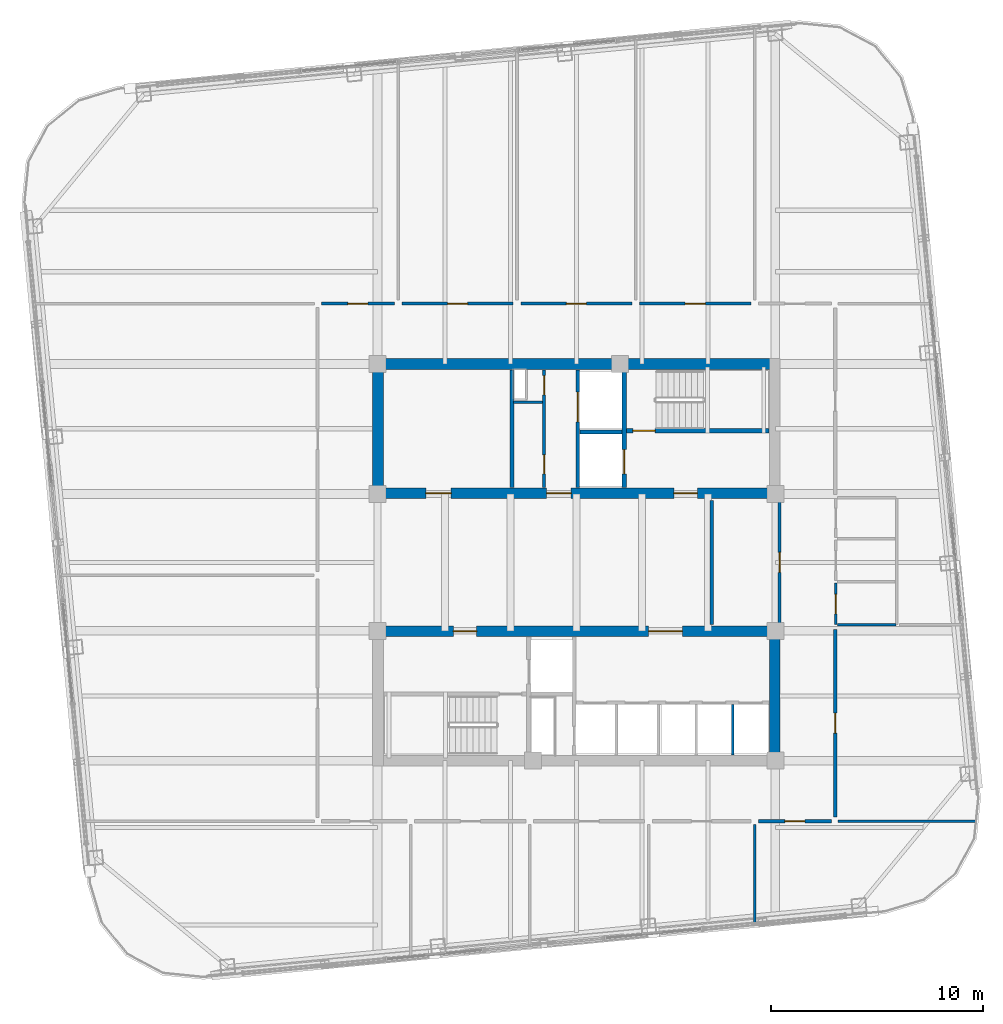
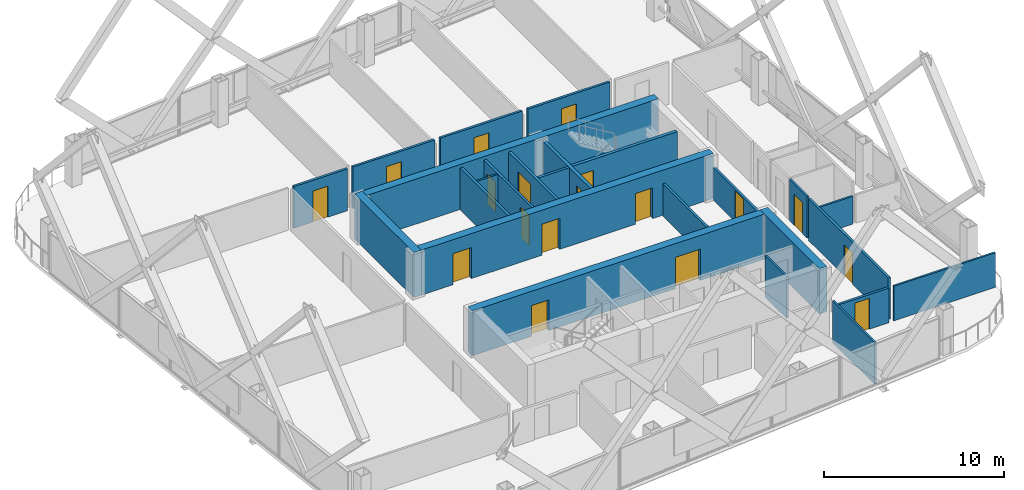
# One storey, part 30 of 34: 25 walls, 18 doors, 18 openings.
"""IFC4 building model written with IfcOpenShell, lengths in metres."""

from ifc_helpers import new_model, si_unit, direction, frame, frame_2d, origin, place, context, subcontext, project, spatial, rectangle, extrude, material, layer, layer_set, type_object, element, fill, save


model = new_model("IFC4")

# Units and contexts
model_context = context("Model", 3, precision=1e-05, world=origin(), true_north=direction((0.0, 1.0)))
body_context = subcontext(model_context, "Body", "Model", "MODEL_VIEW")
ifc_project = project(units=[si_unit("LENGTHUNIT", "METRE"), si_unit("AREAUNIT", "SQUARE_METRE"), si_unit("VOLUMEUNIT", "CUBIC_METRE"), si_unit("PLANEANGLEUNIT", "RADIAN"), si_unit("MASSUNIT", "GRAM", prefix="KILO")], contexts=[model_context])

# Site, building, storey
site_placement = place(None, origin())
site = spatial("IfcSite", under=ifc_project, at=site_placement, CompositionType="ELEMENT")
building_placement = place(site_placement, origin())
building = spatial("IfcBuilding", under=site, at=building_placement, Name="Qhalaya Broadcast Tower", CompositionType="ELEMENT")
storey_placement = place(building_placement, frame((0.0, 0.0, 168.35009765625)))
storey = spatial("IfcBuildingStorey", under=building, at=storey_placement, Name="L49", CompositionType="ELEMENT", Elevation=168.35009765625)

# Wall, openings, doors
ifc_material_1 = material(Name="Gypsum Acoustic Partition")
ifc_layer_1 = layer(ifc_material_1, 0.14990234375, Name="Gypsum Acoustic Partition")
ifc_layer_set_1 = layer_set([ifc_layer_1], Name="Gypsum Acoustic Partition")
wall_type_1 = type_object("IfcWallType", Name="Corridor & Tenancy Acoustic Partition 150", PredefinedType="PARTITIONING", material=ifc_layer_set_1)
wall_1_placement = place(storey_placement, frame((-1.52001953125, 4.1201171875, 0.0), z_axis=(0.0, 0.0, 1.0), x_axis=(0.0, 1.0, 0.0)))
wall_1 = element("IfcWall", 1, at=wall_1_placement, inside=storey, type_object=wall_type_1, Name="L49 Partition Wall NCW-SVL", PredefinedType="PARTITIONING", context=body_context, shape_type="SweptSolid", body=[
    extrude(rectangle(XDim=5.559814453125, YDim=0.14990234375, at=frame_2d((2.77978515625, 0.0))), origin(), (0.0, 0.0, 1.0), 2.829833984375),
])
opening_1_placement = place(wall_1_placement, frame((4.3798828125, 0.0, 0.0)))
opening_1 = element("IfcOpeningElement", 2, at=opening_1_placement, cuts=wall_1, Name="Opening D06", PredefinedType="OPENING", context=body_context, shape_type="SweptSolid", body=[
    extrude(rectangle(XDim=0.89990234375, YDim=2.050048828125, at=frame_2d((0.449951171875, 1.02490234375))), frame((0.0, 0.0869140625, 0.0), z_axis=(0.0, -1.0, 0.0), x_axis=(1.0, 0.0, 0.0)), (0.0, 0.0, 1.0), 0.173828125),
])
opening_2_placement = place(wall_1_placement, frame((0.64990234375, 0.0, 0.0)))
opening_2 = element("IfcOpeningElement", 3, at=opening_2_placement, cuts=wall_1, Name="Opening D06", PredefinedType="OPENING", context=body_context, shape_type="SweptSolid", body=[
    extrude(rectangle(XDim=0.89990234375, YDim=2.050048828125, at=frame_2d((0.449951171875, 1.02490234375))), frame((0.0, 0.0869140625, 0.0), z_axis=(0.0, -1.0, 0.0), x_axis=(1.0, 0.0, 0.0)), (0.0, 0.0, 1.0), 0.173828125),
])
ifc_material_2 = material(Name="Fire-Rated Steel Door", Category="steel")
door_type_1 = type_object("IfcDoorType", Name="Riser & Electrical Shaft Access Door D06", OperationType="NOTDEFINED", PredefinedType="DOOR", material=ifc_material_2)
door_1_placement = place(opening_1_placement, origin())
door_1 = element("IfcDoor", 4, at=door_1_placement, inside=storey, type_object=door_type_1, Name="L49 Riser Shaft Access Door D-NRSR", OperationType="SINGLE_SWING_RIGHT", OverallHeight=2.050048828125, OverallWidth=0.89990234375, PredefinedType="DOOR", context=body_context, shape_type="SweptSolid", body=[
    extrude(rectangle(XDim=0.89990234375, YDim=2.050048828125, at=frame_2d((0.449951171875, 1.02490234375))), frame((0.0, 0.02490234375, 0.0), z_axis=(0.0, -1.0, 0.0), x_axis=(1.0, 0.0, 0.0)), (0.0, 0.0, 1.0), 0.050048828125),
])
fill(opening_1, door_1)
door_2_placement = place(opening_2_placement, origin())
door_2 = element("IfcDoor", 5, at=door_2_placement, inside=storey, type_object=door_type_1, Name="L49 Door D-NCST", OperationType="SINGLE_SWING_LEFT", OverallHeight=2.050048828125, OverallWidth=0.89990234375, PredefinedType="DOOR", context=body_context, shape_type="SweptSolid", body=[
    extrude(rectangle(XDim=0.89990234375, YDim=2.050048828125, at=frame_2d((0.449951171875, 1.02490234375))), frame((0.0, 0.02490234375, 0.0), z_axis=(0.0, -1.0, 0.0), x_axis=(1.0, 0.0, 0.0)), (0.0, 0.0, 1.0), 0.050048828125),
])
fill(opening_2, door_2)

# Wall
wall_2_placement = place(storey_placement, frame((6.3798828125, -2.320068359375, 0.0), z_axis=(0.0, 0.0, 1.0), x_axis=(0.0, 1.0, 0.0)))
element("IfcWall", 6, at=wall_2_placement, inside=storey, type_object=wall_type_1, Name="L49 Partition Wall W-ICHW", PredefinedType="PARTITIONING", context=body_context, shape_type="SweptSolid", body=[
    extrude(rectangle(XDim=5.840087890625, YDim=0.14990234375, at=frame_2d((2.919921875, 0.0))), origin(), (0.0, 0.0, 1.0), 2.197998046875),
])

# Wall, opening, door
wall_3_placement = place(storey_placement, frame((9.580078125, -2.320068359375, 0.0), z_axis=(0.0, 0.0, 1.0), x_axis=(0.0, 1.0, 0.0)))
wall_3 = element("IfcWall", 7, at=wall_3_placement, inside=storey, type_object=wall_type_1, Name="L49 Partition Wall W-ICHE", PredefinedType="PARTITIONING", context=body_context, shape_type="SweptSolid", body=[
    extrude(rectangle(XDim=5.840087890625, YDim=0.14990234375, at=frame_2d((2.919921875, 0.0))), origin(), (0.0, 0.0, 1.0), 2.197998046875),
])
opening_3_placement = place(wall_3_placement, frame((2.445068359375, 0.0, 0.0)))
opening_3 = element("IfcOpeningElement", 8, at=opening_3_placement, cuts=wall_3, Name="Opening D10", PredefinedType="OPENING", context=body_context, shape_type="SweptSolid", body=[
    extrude(rectangle(XDim=0.949951171875, YDim=2.10009765625, at=frame_2d((0.47509765625, 1.050048828125))), frame((0.0, 0.0869140625, 0.0), z_axis=(0.0, -1.0, 0.0), x_axis=(1.0, 0.0, 0.0)), (0.0, 0.0, 1.0), 0.173828125),
])
ifc_material_3 = material(Name="Timber Veneer Acoustic Door", Category="wood")
door_type_2 = type_object("IfcDoorType", Name="Cellular Office & Edit Booth Door D10", OperationType="NOTDEFINED", PredefinedType="DOOR", material=ifc_material_3)
door_3_placement = place(opening_3_placement, origin())
door_3 = element("IfcDoor", 9, at=door_3_placement, inside=storey, type_object=door_type_2, Name="L49 Door D-ICHE", OperationType="SINGLE_SWING_RIGHT", OverallHeight=2.10009765625, OverallWidth=0.949951171875, PredefinedType="DOOR", context=body_context, shape_type="SweptSolid", body=[
    extrude(rectangle(XDim=0.949951171875, YDim=2.10009765625, at=frame_2d((0.47509765625, 1.050048828125))), frame((0.0, 0.02490234375, 0.0), z_axis=(0.0, -1.0, 0.0), x_axis=(1.0, 0.0, 0.0)), (0.0, 0.0, 1.0), 0.050048828125),
])
fill(opening_3, door_3)

wall_4_placement = place(storey_placement, frame((-12.02001953125, 12.800048828125, 0.0), z_axis=(0.0, 0.0, 1.0), x_axis=(1.0, 0.0, 0.0)))
wall_4 = element("IfcWall", 10, at=wall_4_placement, inside=storey, type_object=wall_type_1, Name="L49 Partition Wall W-COR-01", PredefinedType="PARTITIONING", context=body_context, shape_type="SweptSolid", body=[
    extrude(rectangle(XDim=3.43994140625, YDim=0.14990234375, at=frame_2d((1.719970703125, 0.0))), origin(), (0.0, 0.0, 1.0), 2.829833984375),
])
opening_4_placement = place(wall_4_placement, frame((1.2451171875, 0.0, 0.0)))
opening_4 = element("IfcOpeningElement", 11, at=opening_4_placement, cuts=wall_4, Name="Opening D10", PredefinedType="OPENING", context=body_context, shape_type="SweptSolid", body=[
    extrude(rectangle(XDim=0.949951171875, YDim=2.10009765625, at=frame_2d((0.47509765625, 1.050048828125))), frame((0.0, 0.0869140625, 0.0), z_axis=(0.0, -1.0, 0.0), x_axis=(1.0, 0.0, 0.0)), (0.0, 0.0, 1.0), 0.173828125),
])
door_4_placement = place(opening_4_placement, origin())
door_4 = element("IfcDoor", 12, at=door_4_placement, inside=storey, type_object=door_type_2, Name="L49 Door D-RM01", OperationType="SINGLE_SWING_LEFT", OverallHeight=2.10009765625, OverallWidth=0.949951171875, PredefinedType="DOOR", context=body_context, shape_type="SweptSolid", body=[
    extrude(rectangle(XDim=0.949951171875, YDim=2.10009765625, at=frame_2d((0.47509765625, 1.050048828125))), frame((0.0, 0.02490234375, 0.0), z_axis=(0.0, -1.0, 0.0), x_axis=(1.0, 0.0, 0.0)), (0.0, 0.0, 1.0), 0.050048828125),
])
fill(opening_4, door_4)

wall_5_placement = place(storey_placement, frame((-8.219970703125, 12.800048828125, 0.0), z_axis=(0.0, 0.0, 1.0), x_axis=(1.0, 0.0, 0.0)))
wall_5 = element("IfcWall", 13, at=wall_5_placement, inside=storey, type_object=wall_type_1, Name="L49 Partition Wall W-COR-02", PredefinedType="PARTITIONING", context=body_context, shape_type="SweptSolid", body=[
    extrude(rectangle(XDim=5.239990234375, YDim=0.14990234375, at=frame_2d((2.6201171875, 0.0))), origin(), (0.0, 0.0, 1.0), 2.829833984375),
])
opening_5_placement = place(wall_5_placement, frame((2.14501953125, 0.0, 0.0)))
opening_5 = element("IfcOpeningElement", 14, at=opening_5_placement, cuts=wall_5, Name="Opening D10", PredefinedType="OPENING", context=body_context, shape_type="SweptSolid", body=[
    extrude(rectangle(XDim=0.949951171875, YDim=2.10009765625, at=frame_2d((0.47509765625, 1.050048828125))), frame((0.0, 0.0869140625, 0.0), z_axis=(0.0, -1.0, 0.0), x_axis=(1.0, 0.0, 0.0)), (0.0, 0.0, 1.0), 0.173828125),
])
door_5_placement = place(opening_5_placement, origin())
door_5 = element("IfcDoor", 15, at=door_5_placement, inside=storey, type_object=door_type_2, Name="L49 Door D-RM02", OperationType="SINGLE_SWING_RIGHT", OverallHeight=2.10009765625, OverallWidth=0.949951171875, PredefinedType="DOOR", context=body_context, shape_type="SweptSolid", body=[
    extrude(rectangle(XDim=0.949951171875, YDim=2.10009765625, at=frame_2d((0.47509765625, 1.050048828125))), frame((0.0, 0.02490234375, 0.0), z_axis=(0.0, -1.0, 0.0), x_axis=(1.0, 0.0, 0.0)), (0.0, 0.0, 1.0), 0.050048828125),
])
fill(opening_5, door_5)

wall_6_placement = place(storey_placement, frame((-2.6201171875, 12.800048828125, 0.0), z_axis=(0.0, 0.0, 1.0), x_axis=(1.0, 0.0, 0.0)))
wall_6 = element("IfcWall", 16, at=wall_6_placement, inside=storey, type_object=wall_type_1, Name="L49 Partition Wall W-COR-03", PredefinedType="PARTITIONING", context=body_context, shape_type="SweptSolid", body=[
    extrude(rectangle(XDim=5.240234375, YDim=0.14990234375, at=frame_2d((2.6201171875, 0.0))), origin(), (0.0, 0.0, 1.0), 2.829833984375),
])
opening_6_placement = place(wall_6_placement, frame((2.14501953125, 0.0, 0.0)))
opening_6 = element("IfcOpeningElement", 17, at=opening_6_placement, cuts=wall_6, Name="Opening D10", PredefinedType="OPENING", context=body_context, shape_type="SweptSolid", body=[
    extrude(rectangle(XDim=0.949951171875, YDim=2.10009765625, at=frame_2d((0.47509765625, 1.050048828125))), frame((0.0, 0.0869140625, 0.0), z_axis=(0.0, -1.0, 0.0), x_axis=(1.0, 0.0, 0.0)), (0.0, 0.0, 1.0), 0.173828125),
])
door_6_placement = place(opening_6_placement, origin())
door_6 = element("IfcDoor", 18, at=door_6_placement, inside=storey, type_object=door_type_2, Name="L49 Door D-RM03", OperationType="SINGLE_SWING_LEFT", OverallHeight=2.10009765625, OverallWidth=0.949951171875, PredefinedType="DOOR", context=body_context, shape_type="SweptSolid", body=[
    extrude(rectangle(XDim=0.949951171875, YDim=2.10009765625, at=frame_2d((0.47509765625, 1.050048828125))), frame((0.0, 0.02490234375, 0.0), z_axis=(0.0, -1.0, 0.0), x_axis=(1.0, 0.0, 0.0)), (0.0, 0.0, 1.0), 0.050048828125),
])
fill(opening_6, door_6)

wall_7_placement = place(storey_placement, frame((2.97998046875, 12.800048828125, 0.0), z_axis=(0.0, 0.0, 1.0), x_axis=(1.0, 0.0, 0.0)))
wall_7 = element("IfcWall", 19, at=wall_7_placement, inside=storey, type_object=wall_type_1, Name="L49 Partition Wall W-COR-04", PredefinedType="PARTITIONING", context=body_context, shape_type="SweptSolid", body=[
    extrude(rectangle(XDim=5.239990234375, YDim=0.14990234375, at=frame_2d((2.6201171875, 0.0))), origin(), (0.0, 0.0, 1.0), 2.829833984375),
])
opening_7_placement = place(wall_7_placement, frame((2.14501953125, 0.0, 0.0)))
opening_7 = element("IfcOpeningElement", 20, at=opening_7_placement, cuts=wall_7, Name="Opening D10", PredefinedType="OPENING", context=body_context, shape_type="SweptSolid", body=[
    extrude(rectangle(XDim=0.949951171875, YDim=2.10009765625, at=frame_2d((0.47509765625, 1.050048828125))), frame((0.0, 0.0869140625, 0.0), z_axis=(0.0, -1.0, 0.0), x_axis=(1.0, 0.0, 0.0)), (0.0, 0.0, 1.0), 0.173828125),
])
door_7_placement = place(opening_7_placement, origin())
door_7 = element("IfcDoor", 21, at=door_7_placement, inside=storey, type_object=door_type_2, Name="L49 Door D-RM04", OperationType="SINGLE_SWING_RIGHT", OverallHeight=2.10009765625, OverallWidth=0.949951171875, PredefinedType="DOOR", context=body_context, shape_type="SweptSolid", body=[
    extrude(rectangle(XDim=0.949951171875, YDim=2.10009765625, at=frame_2d((0.47509765625, 1.050048828125))), frame((0.0, 0.02490234375, 0.0), z_axis=(0.0, -1.0, 0.0), x_axis=(1.0, 0.0, 0.0)), (0.0, 0.0, 1.0), 0.050048828125),
])
fill(opening_7, door_7)

wall_8_placement = place(storey_placement, frame((8.580078125, -11.60009765625, 0.0), z_axis=(0.0, 0.0, 1.0), x_axis=(1.0, 0.0, 0.0)))
wall_8 = element("IfcWall", 22, at=wall_8_placement, inside=storey, type_object=wall_type_1, Name="L49 Partition Wall W-COR-10", PredefinedType="PARTITIONING", context=body_context, shape_type="SweptSolid", body=[
    extrude(rectangle(XDim=3.43994140625, YDim=0.14990234375, at=frame_2d((1.719970703125, 0.0))), origin(), (0.0, 0.0, 1.0), 2.346923828125),
])
opening_8_placement = place(wall_8_placement, frame((1.2451171875, 0.0, 0.0)))
opening_8 = element("IfcOpeningElement", 23, at=opening_8_placement, cuts=wall_8, Name="Opening D10", PredefinedType="OPENING", context=body_context, shape_type="SweptSolid", body=[
    extrude(rectangle(XDim=0.949951171875, YDim=2.10009765625, at=frame_2d((0.47509765625, 1.050048828125))), frame((0.0, 0.0869140625, 0.0), z_axis=(0.0, -1.0, 0.0), x_axis=(1.0, 0.0, 0.0)), (0.0, 0.0, 1.0), 0.173828125),
])
door_8_placement = place(opening_8_placement, origin())
door_8 = element("IfcDoor", 24, at=door_8_placement, inside=storey, type_object=door_type_2, Name="L49 Door D-RM10", OperationType="SINGLE_SWING_RIGHT", OverallHeight=2.10009765625, OverallWidth=0.949951171875, PredefinedType="DOOR", context=body_context, shape_type="SweptSolid", body=[
    extrude(rectangle(XDim=0.949951171875, YDim=2.10009765625, at=frame_2d((0.47509765625, 1.050048828125))), frame((0.0, 0.02490234375, 0.0), z_axis=(0.0, -1.0, 0.0), x_axis=(1.0, 0.0, 0.0)), (0.0, 0.0, 1.0), 0.050048828125),
])
fill(opening_8, door_8)

wall_9_placement = place(storey_placement, frame((12.199951171875, -11.39990234375, 0.0), z_axis=(0.0, 0.0, 1.0), x_axis=(0.0, 1.0, 0.0)))
wall_9 = element("IfcWall", 25, at=wall_9_placement, inside=storey, type_object=wall_type_1, Name="L49 Partition Wall W-COR-13", PredefinedType="PARTITIONING", context=body_context, shape_type="SweptSolid", body=[
    extrude(rectangle(XDim=8.83984375, YDim=0.14990234375, at=frame_2d((4.419921875, 0.0))), origin(), (0.0, 0.0, 1.0), 2.829833984375),
])
opening_9_placement = place(wall_9_placement, frame((3.945068359375, 0.0, 0.0)))
opening_9 = element("IfcOpeningElement", 26, at=opening_9_placement, cuts=wall_9, Name="Opening D10", PredefinedType="OPENING", context=body_context, shape_type="SweptSolid", body=[
    extrude(rectangle(XDim=0.949951171875, YDim=2.10009765625, at=frame_2d((0.47509765625, 1.050048828125))), frame((0.0, 0.0869140625, 0.0), z_axis=(0.0, -1.0, 0.0), x_axis=(1.0, 0.0, 0.0)), (0.0, 0.0, 1.0), 0.173828125),
])
door_9_placement = place(opening_9_placement, origin())
door_9 = element("IfcDoor", 27, at=door_9_placement, inside=storey, type_object=door_type_2, Name="L49 Door D-RM13", OperationType="SINGLE_SWING_LEFT", OverallHeight=2.10009765625, OverallWidth=0.949951171875, PredefinedType="DOOR", context=body_context, shape_type="SweptSolid", body=[
    extrude(rectangle(XDim=0.949951171875, YDim=2.10009765625, at=frame_2d((0.47509765625, 1.050048828125))), frame((0.0, 0.02490234375, 0.0), z_axis=(0.0, -1.0, 0.0), x_axis=(1.0, 0.0, 0.0)), (0.0, 0.0, 1.0), 0.050048828125),
])
fill(opening_9, door_9)

ifc_material_4 = material(Name="Concrete C50/60", Category="concrete")
ifc_layer_2 = layer(ifc_material_4, 0.199951171875, Name="Concrete C50/60")
ifc_layer_set_2 = layer_set([ifc_layer_2], Name="Concrete C50/60")
wall_type_2 = type_object("IfcWallType", Name="Load-Bearing Stair Shaft Wall 200", PredefinedType="SHEAR", material=ifc_layer_set_2)
wall_10_placement = place(storey_placement, frame((2.360107421875, 6.804931640625, 0.0), z_axis=(0.0, 0.0, 1.0), x_axis=(1.0, 0.0, 0.0)))
wall_10 = element("IfcWall", 28, at=wall_10_placement, inside=storey, type_object=wall_type_2, Name="L49 Stair Core Shear Wall NCW-ST1", PredefinedType="SHEAR", context=body_context, shape_type="SweptSolid", body=[
    extrude(rectangle(XDim=6.719970703125, YDim=0.199951171875, at=frame_2d((3.35986328125, 0.0))), origin(), (0.0, 0.0, 1.0), 2.829833984375),
])
opening_10_placement = place(wall_10_placement, frame((0.300048828125, 0.0, 0.0)))
opening_10 = element("IfcOpeningElement", 29, at=opening_10_placement, cuts=wall_10, Name="Opening D03", PredefinedType="OPENING", context=body_context, shape_type="SweptSolid", body=[
    extrude(rectangle(XDim=1.050048828125, YDim=2.080078125, at=frame_2d((0.52490234375, 1.0400390625))), frame((0.0, 0.112060546875, 0.0), z_axis=(0.0, -1.0, 0.0), x_axis=(1.0, 0.0, 0.0)), (0.0, 0.0, 1.0), 0.223876953125),
])
door_type_3 = type_object("IfcDoorType", Name="Core Stair Protected Fire Door D03", OperationType="NOTDEFINED", PredefinedType="DOOR", material=ifc_material_2)
door_10_placement = place(opening_10_placement, origin())
door_10 = element("IfcDoor", 30, at=door_10_placement, inside=storey, type_object=door_type_3, Name="L49 Door D-NST1", OperationType="SINGLE_SWING_LEFT", OverallHeight=2.080078125, OverallWidth=1.050048828125, PredefinedType="DOOR", context=body_context, shape_type="SweptSolid", body=[
    extrude(rectangle(XDim=1.050048828125, YDim=2.080078125, at=frame_2d((0.52490234375, 1.0400390625))), frame((0.0, 0.02490234375, 0.0), z_axis=(0.0, -1.0, 0.0), x_axis=(1.0, 0.0, 0.0)), (0.0, 0.0, 1.0), 0.050048828125),
])
fill(opening_10, door_10)

wall_11_placement = place(storey_placement, frame((2.25, 4.1201171875, 0.0), z_axis=(0.0, 0.0, 1.0), x_axis=(0.0, 1.0, 0.0)))
wall_11 = element("IfcWall", 31, at=wall_11_placement, inside=storey, type_object=wall_type_2, Name="L49 Stair Core Shear Wall NCW-FF", PredefinedType="SHEAR", context=body_context, shape_type="SweptSolid", body=[
    extrude(rectangle(XDim=5.559814453125, YDim=0.199951171875, at=frame_2d((2.77978515625, 0.0))), origin(), (0.0, 0.0, 1.0), 2.829833984375),
])
opening_11_placement = place(wall_11_placement, frame((0.64990234375, 0.0, 0.0)))
opening_11 = element("IfcOpeningElement", 32, at=opening_11_placement, cuts=wall_11, Name="Opening LD2", PredefinedType="OPENING", context=body_context, shape_type="SweptSolid", body=[
    extrude(rectangle(XDim=1.14990234375, YDim=2.080078125, at=frame_2d((0.574951171875, 1.0400390625))), frame((0.0, 0.112060546875, 0.0), z_axis=(0.0, -1.0, 0.0), x_axis=(1.0, 0.0, 0.0)), (0.0, 0.0, 1.0), 0.223876953125),
])
ifc_material_5 = material(Name="Brushed Stainless Steel Lift Door", Category="steel")
door_type_4 = type_object("IfcDoorType", Name="Firefighting Lift Sliding Landing Door LD2", OperationType="DOUBLE_DOOR_SLIDING", PredefinedType="DOOR", material=ifc_material_5)
door_11_placement = place(opening_11_placement, origin())
door_11 = element("IfcDoor", 33, at=door_11_placement, inside=storey, type_object=door_type_4, Name="L49 Door LD-FF1", OperationType="DOUBLE_DOOR_SLIDING", OverallHeight=2.080078125, OverallWidth=1.14990234375, PredefinedType="DOOR", context=body_context, shape_type="SweptSolid", body=[
    extrude(rectangle(XDim=1.14990234375, YDim=2.080078125, at=frame_2d((0.574951171875, 1.0400390625))), frame((0.0, 0.02490234375, 0.0), z_axis=(0.0, -1.0, 0.0), x_axis=(1.0, 0.0, 0.0)), (0.0, 0.0, 1.0), 0.050048828125),
])
fill(opening_11, door_11)

# Wall
ifc_layer_3 = layer(ifc_material_4, 0.5, Name="Concrete C50/60")
ifc_layer_set_3 = layer_set([ifc_layer_3], Name="Concrete C50/60")
wall_type_3 = type_object("IfcWallType", Name="Mid Split-Core Shear Wall 500", PredefinedType="SHEAR", material=ifc_layer_set_3)
wall_12_placement = place(storey_placement, frame((-9.60009765625, 9.949951171875, 0.0), z_axis=(0.0, 0.0, 1.0), x_axis=(1.0, 0.0, 0.0)))
element("IfcWall", 34, at=wall_12_placement, inside=storey, type_object=wall_type_3, Name="L49 Split-Core Shear Wall CW-NN", PredefinedType="SHEAR", context=body_context, shape_type="SweptSolid", body=[
    extrude(rectangle(XDim=19.2001953125, YDim=0.5, at=frame_2d((9.60009765625, 0.0))), origin(), (0.0, 0.0, 1.0), 3.0498046875),
])

# Wall, openings, doors
wall_13_placement = place(storey_placement, frame((-9.60009765625, 3.85009765625, 0.0), z_axis=(0.0, 0.0, 1.0), x_axis=(1.0, 0.0, 0.0)))
wall_13 = element("IfcWall", 35, at=wall_13_placement, inside=storey, type_object=wall_type_3, Name="L49 Split-Core Shear Wall CW-NS", PredefinedType="SHEAR", context=body_context, shape_type="SweptSolid", body=[
    extrude(rectangle(XDim=19.2001953125, YDim=0.5, at=frame_2d((9.60009765625, 0.0))), origin(), (0.0, 0.0, 1.0), 3.0498046875),
])
opening_12_placement = place(wall_13_placement, frame((14.199951171875, 0.0, 0.0)))
opening_12 = element("IfcOpeningElement", 36, at=opening_12_placement, cuts=wall_13, Name="Opening D04", PredefinedType="OPENING", context=body_context, shape_type="SweptSolid", body=[
    extrude(rectangle(XDim=1.10009765625, YDim=2.080078125, at=frame_2d((0.550048828125, 1.0400390625))), frame((0.0, 0.261962890625, 0.0), z_axis=(0.0, -1.0, 0.0), x_axis=(1.0, 0.0, 0.0)), (0.0, 0.0, 1.0), 0.52392578125),
])
opening_13_placement = place(wall_13_placement, frame((8.199951171875, 0.0, 0.0)))
opening_13 = element("IfcOpeningElement", 37, at=opening_13_placement, cuts=wall_13, Name="Opening D05", PredefinedType="OPENING", context=body_context, shape_type="SweptSolid", body=[
    extrude(rectangle(XDim=1.14990234375, YDim=2.10009765625, at=frame_2d((0.574951171875, 1.050048828125))), frame((0.0, 0.261962890625, 0.0), z_axis=(0.0, -1.0, 0.0), x_axis=(1.0, 0.0, 0.0)), (0.0, 0.0, 1.0), 0.52392578125),
])
opening_14_placement = place(wall_13_placement, frame((2.5, 0.0, 0.0)))
opening_14 = element("IfcOpeningElement", 38, at=opening_14_placement, cuts=wall_13, Name="Opening D11", PredefinedType="OPENING", context=body_context, shape_type="SweptSolid", body=[
    extrude(rectangle(XDim=1.199951171875, YDim=2.10009765625, at=frame_2d((0.60009765625, 1.050048828125))), frame((0.0, 0.261962890625, 0.0), z_axis=(0.0, -1.0, 0.0), x_axis=(1.0, 0.0, 0.0)), (0.0, 0.0, 1.0), 0.52392578125),
])
ifc_material_6 = material(Name="Anodised Aluminium Glazed Door", Category="aluminium")
door_type_5 = type_object("IfcDoorType", Name="Conference, Boardroom & Studio Control Door D11", OperationType="NOTDEFINED", PredefinedType="DOOR", material=ifc_material_6)
door_12_placement = place(opening_14_placement, origin())
door_12 = element("IfcDoor", 39, at=door_12_placement, inside=storey, type_object=door_type_5, Name="L49 Door D-NREC1", OperationType="SINGLE_SWING_LEFT", OverallHeight=2.10009765625, OverallWidth=1.199951171875, PredefinedType="DOOR", context=body_context, shape_type="SweptSolid", body=[
    extrude(rectangle(XDim=1.199951171875, YDim=2.10009765625, at=frame_2d((0.60009765625, 1.050048828125))), frame((0.0, 0.02490234375, 0.0), z_axis=(0.0, -1.0, 0.0), x_axis=(1.0, 0.0, 0.0)), (0.0, 0.0, 1.0), 0.050048828125),
])
fill(opening_14, door_12)
door_type_6 = type_object("IfcDoorType", Name="Firefighting Lobby Rated Door D04", OperationType="NOTDEFINED", PredefinedType="DOOR", material=ifc_material_2)
door_13_placement = place(opening_12_placement, origin())
door_13 = element("IfcDoor", 40, at=door_13_placement, inside=storey, type_object=door_type_6, Name="L49 Door D-NFF", OperationType="SINGLE_SWING_RIGHT", OverallHeight=2.080078125, OverallWidth=1.10009765625, PredefinedType="DOOR", context=body_context, shape_type="SweptSolid", body=[
    extrude(rectangle(XDim=1.10009765625, YDim=2.080078125, at=frame_2d((0.550048828125, 1.0400390625))), frame((0.0, 0.02490234375, 0.0), z_axis=(0.0, -1.0, 0.0), x_axis=(1.0, 0.0, 0.0)), (0.0, 0.0, 1.0), 0.050048828125),
])
fill(opening_12, door_13)
door_type_7 = type_object("IfcDoorType", Name="Refuge & Plant Room Fire Door D05", OperationType="NOTDEFINED", PredefinedType="DOOR", material=ifc_material_2)
door_14_placement = place(opening_13_placement, origin())
door_14 = element("IfcDoor", 41, at=door_14_placement, inside=storey, type_object=door_type_7, Name="L49 Door D-NSVL", OperationType="SINGLE_SWING_LEFT", OverallHeight=2.10009765625, OverallWidth=1.14990234375, PredefinedType="DOOR", context=body_context, shape_type="SweptSolid", body=[
    extrude(rectangle(XDim=1.14990234375, YDim=2.10009765625, at=frame_2d((0.574951171875, 1.050048828125))), frame((0.0, 0.02490234375, 0.0), z_axis=(0.0, -1.0, 0.0), x_axis=(1.0, 0.0, 0.0)), (0.0, 0.0, 1.0), 0.050048828125),
])
fill(opening_13, door_14)

# Wall
wall_14_placement = place(storey_placement, frame((-9.35009765625, 3.60009765625, 0.0), z_axis=(0.0, 0.0, 1.0), x_axis=(0.0, 1.0, 0.0)))
element("IfcWall", 42, at=wall_14_placement, inside=storey, type_object=wall_type_3, Name="L49 Split-Core Shear Wall CW-NW", PredefinedType="SHEAR", context=body_context, shape_type="SweptSolid", body=[
    extrude(rectangle(XDim=6.599853515625, YDim=0.5, at=frame_2d((3.2998046875, 0.0))), origin(), (0.0, 0.0, 1.0), 3.0498046875),
])

# Wall, openings, doors
wall_15_placement = place(storey_placement, frame((-9.60009765625, -2.64990234375, 0.0), z_axis=(0.0, 0.0, 1.0), x_axis=(1.0, 0.0, 0.0)))
wall_15 = element("IfcWall", 43, at=wall_15_placement, inside=storey, type_object=wall_type_3, Name="L49 Split-Core Shear Wall CW-SN", PredefinedType="SHEAR", context=body_context, shape_type="SweptSolid", body=[
    extrude(rectangle(XDim=19.2001953125, YDim=0.5, at=frame_2d((9.60009765625, 0.0))), origin(), (0.0, 0.0, 1.0), 3.0498046875),
])
opening_15_placement = place(wall_15_placement, frame((3.800048828125, 0.0, 0.0)))
opening_15 = element("IfcOpeningElement", 44, at=opening_15_placement, cuts=wall_15, Name="Opening D04", PredefinedType="OPENING", context=body_context, shape_type="SweptSolid", body=[
    extrude(rectangle(XDim=1.10009765625, YDim=2.080078125, at=frame_2d((0.550048828125, 1.0400390625))), frame((0.0, 0.261962890625, 0.0), z_axis=(0.0, -1.0, 0.0), x_axis=(1.0, 0.0, 0.0)), (0.0, 0.0, 1.0), 0.52392578125),
])
opening_16_placement = place(wall_15_placement, frame((13.0, 0.0, 0.0)))
opening_16 = element("IfcOpeningElement", 45, at=opening_16_placement, cuts=wall_15, Name="Opening D07", PredefinedType="OPENING", context=body_context, shape_type="SweptSolid", body=[
    extrude(rectangle(XDim=1.60009765625, YDim=2.1201171875, at=frame_2d((0.800048828125, 1.06005859375))), frame((0.0, 0.261962890625, 0.0), z_axis=(0.0, -1.0, 0.0), x_axis=(1.0, 0.0, 0.0)), (0.0, 0.0, 1.0), 0.52392578125),
])
door_15_placement = place(opening_15_placement, origin())
door_15 = element("IfcDoor", 46, at=door_15_placement, inside=storey, type_object=door_type_6, Name="L49 Door D-SFF", OperationType="SINGLE_SWING_LEFT", OverallHeight=2.080078125, OverallWidth=1.10009765625, PredefinedType="DOOR", context=body_context, shape_type="SweptSolid", body=[
    extrude(rectangle(XDim=1.10009765625, YDim=2.080078125, at=frame_2d((0.550048828125, 1.0400390625))), frame((0.0, 0.02490234375, 0.0), z_axis=(0.0, -1.0, 0.0), x_axis=(1.0, 0.0, 0.0)), (0.0, 0.0, 1.0), 0.050048828125),
])
fill(opening_15, door_15)
door_type_8 = type_object("IfcDoorType", Name="Passenger Lift Lobby Double Glazed Door D07", OperationType="DOUBLE_DOOR_SINGLE_SWING", PredefinedType="DOOR", material=ifc_material_6)
door_16_placement = place(opening_16_placement, origin())
door_16 = element("IfcDoor", 47, at=door_16_placement, inside=storey, type_object=door_type_8, Name="L49 Door D-SPLL", OperationType="DOUBLE_DOOR_SINGLE_SWING", OverallHeight=2.1201171875, OverallWidth=1.60009765625, PredefinedType="DOOR", context=body_context, shape_type="SweptSolid", body=[
    extrude(rectangle(XDim=1.60009765625, YDim=2.1201171875, at=frame_2d((0.800048828125, 1.06005859375))), frame((0.0, 0.02490234375, 0.0), z_axis=(0.0, -1.0, 0.0), x_axis=(1.0, 0.0, 0.0)), (0.0, 0.0, 1.0), 0.050048828125),
])
fill(opening_16, door_16)

# Walls
wall_16_placement = place(storey_placement, frame((9.35009765625, -9.0, 0.0), z_axis=(0.0, 0.0, 1.0), x_axis=(0.0, 1.0, 0.0)))
element("IfcWall", 48, at=wall_16_placement, inside=storey, type_object=wall_type_3, Name="L49 Split-Core Shear Wall CW-SE", PredefinedType="SHEAR", context=body_context, shape_type="SweptSolid", body=[
    extrude(rectangle(XDim=6.60009765625, YDim=0.5, at=frame_2d((3.300048828125, 0.0))), origin(), (0.0, 0.0, 1.0), 3.0498046875),
])
ifc_layer_4 = layer(ifc_material_1, 0.1201171875, Name="Gypsum Acoustic Partition")
ifc_layer_set_4 = layer_set([ifc_layer_4], Name="Gypsum Acoustic Partition")
wall_type_4 = type_object("IfcWallType", Name="Office, Booth & Sanitary Partition 120", PredefinedType="PARTITIONING", material=ifc_layer_set_4)
wall_17_placement = place(storey_placement, frame((-2.9599609375, 8.14990234375, 0.0), z_axis=(0.0, 0.0, 1.0), x_axis=(1.0, 0.0, 0.0)))
element("IfcWall", 49, at=wall_17_placement, inside=storey, type_object=wall_type_4, Name="L49 Partition Wall NCW-VA", PredefinedType="PARTITIONING", context=body_context, shape_type="SweptSolid", body=[
    extrude(rectangle(XDim=1.35986328125, YDim=0.1201171875, at=frame_2d((0.679931640625, 0.0))), origin(), (0.0, 0.0, 1.0), 2.829833984375),
])
wall_18_placement = place(storey_placement, frame((7.360107421875, -8.47998046875, 0.0), z_axis=(0.0, 0.0, 1.0), x_axis=(0.0, 1.0, 0.0)))
element("IfcWall", 50, at=wall_18_placement, inside=storey, type_object=wall_type_4, Name="L49 Partition Wall SCW-HD7", PredefinedType="PARTITIONING", context=body_context, shape_type="SweptSolid", body=[
    extrude(rectangle(XDim=2.3798828125, YDim=0.1201171875, at=frame_2d((1.18994140625, 0.0))), origin(), (0.0, 0.0, 1.0), 2.829833984375),
])

# Wall, opening, door
wall_19_placement = place(storey_placement, frame((12.219970703125, -2.320068359375, 0.0), z_axis=(0.0, 0.0, 1.0), x_axis=(0.0, 1.0, 0.0)))
wall_19 = element("IfcWall", 51, at=wall_19_placement, inside=storey, type_object=wall_type_4, Name="L49 Partition Wall W-WCWA", PredefinedType="PARTITIONING", context=body_context, shape_type="SweptSolid", body=[
    extrude(rectangle(XDim=1.940185546875, YDim=0.1201171875, at=frame_2d((0.97021484375, 0.0))), origin(), (0.0, 0.0, 1.0), 2.829833984375),
])
opening_17_placement = place(wall_19_placement, frame((0.4951171875, 0.0, 0.0)))
opening_17 = element("IfcOpeningElement", 52, at=opening_17_placement, cuts=wall_19, Name="Opening D12", PredefinedType="OPENING", context=body_context, shape_type="SweptSolid", body=[
    extrude(rectangle(XDim=0.919921875, YDim=2.10009765625, at=frame_2d((0.4599609375, 1.050048828125))), frame((0.0, 0.072021484375, 0.0), z_axis=(0.0, -1.0, 0.0), x_axis=(1.0, 0.0, 0.0)), (0.0, 0.0, 1.0), 0.14404296875),
])
door_type_9 = type_object("IfcDoorType", Name="Accessible WC & Restroom Door D12", OperationType="NOTDEFINED", PredefinedType="DOOR", material=ifc_material_3)
door_17_placement = place(opening_17_placement, origin())
door_17 = element("IfcDoor", 53, at=door_17_placement, inside=storey, type_object=door_type_9, Name="L49 Door D-WCA", OperationType="SINGLE_SWING_LEFT", OverallHeight=2.10009765625, OverallWidth=0.919921875, PredefinedType="DOOR", context=body_context, shape_type="SweptSolid", body=[
    extrude(rectangle(XDim=0.919921875, YDim=2.10009765625, at=frame_2d((0.4599609375, 1.050048828125))), frame((0.0, 0.02490234375, 0.0), z_axis=(0.0, -1.0, 0.0), x_axis=(1.0, 0.0, 0.0)), (0.0, 0.0, 1.0), 0.050048828125),
])
fill(opening_17, door_17)

# Walls
wall_20_placement = place(storey_placement, frame((12.31005859375, -2.35009765625, 0.0), z_axis=(0.0, 0.0, 1.0), x_axis=(1.0, 0.0, 0.0)))
element("IfcWall", 54, at=wall_20_placement, inside=storey, type_object=wall_type_4, Name="L49 Partition Wall W-WCS", PredefinedType="PARTITIONING", context=body_context, shape_type="SweptSolid", body=[
    extrude(rectangle(XDim=2.760009765625, YDim=0.1201171875, at=frame_2d((1.3798828125, 0.0))), origin(), (0.0, 0.0, 1.0), 1.8828125),
])
wall_21_placement = place(storey_placement, frame((12.340087890625, -11.60009765625, 0.0), z_axis=(0.0, 0.0, 1.0), x_axis=(1.0, 0.0, 0.0)))
element("IfcWall", 55, at=wall_21_placement, inside=storey, type_object=wall_type_4, Name="L49 Partition Wall W-BNDE2", PredefinedType="PARTITIONING", context=body_context, shape_type="SweptSolid", body=[
    extrude(rectangle(XDim=6.489990234375, YDim=0.1201171875, at=frame_2d((3.2451171875, 0.0))), origin(), (0.0, 0.0, 1.0), 2.346923828125),
])
wall_22_placement = place(storey_placement, frame((8.39990234375, -16.4375, 0.0), z_axis=(0.0, 0.0, 1.0), x_axis=(0.0, 1.0, 0.0)))
element("IfcWall", 56, at=wall_22_placement, inside=storey, type_object=wall_type_4, Name="L49 Partition Wall W-DIVS4", PredefinedType="PARTITIONING", context=body_context, shape_type="SweptSolid", body=[
    extrude(rectangle(XDim=4.677490234375, YDim=0.1201171875, at=frame_2d((2.3388671875, 0.0))), origin(), (0.0, 0.0, 1.0), 2.829833984375),
])

# Wall, opening, door
ifc_layer_5 = layer(ifc_material_1, 0.175048828125, Name="Gypsum Acoustic Partition")
ifc_layer_set_5 = layer_set([ifc_layer_5], Name="Gypsum Acoustic Partition")
wall_type_5 = type_object("IfcWallType", Name="Shaft & Riser Fire Partition 175", PredefinedType="PARTITIONING", material=ifc_layer_set_5)
wall_23_placement = place(storey_placement, frame((0.06005859375, 4.1201171875, 0.0), z_axis=(0.0, 0.0, 1.0), x_axis=(0.0, 1.0, 0.0)))
wall_23 = element("IfcWall", 57, at=wall_23_placement, inside=storey, type_object=wall_type_5, Name="L49 Partition Wall NCW-SVW", PredefinedType="PARTITIONING", context=body_context, shape_type="SweptSolid", body=[
    extrude(rectangle(XDim=5.559814453125, YDim=0.175048828125, at=frame_2d((2.77978515625, 0.0))), origin(), (0.0, 0.0, 1.0), 2.829833984375),
])
opening_18_placement = place(wall_23_placement, frame((3.10009765625, 0.0, 0.0)))
opening_18 = element("IfcOpeningElement", 58, at=opening_18_placement, cuts=wall_23, Name="Opening LD3", PredefinedType="OPENING", context=body_context, shape_type="SweptSolid", body=[
    extrude(rectangle(XDim=1.39990234375, YDim=2.1201171875, at=frame_2d((0.699951171875, 1.06005859375))), frame((0.0, 0.099609375, 0.0), z_axis=(0.0, -1.0, 0.0), x_axis=(1.0, 0.0, 0.0)), (0.0, 0.0, 1.0), 0.198974609375),
])
door_type_10 = type_object("IfcDoorType", Name="Service Lift Wide Sliding Landing Door LD3", OperationType="DOUBLE_DOOR_SLIDING", PredefinedType="DOOR", material=ifc_material_5)
door_18_placement = place(opening_18_placement, origin())
door_18 = element("IfcDoor", 59, at=door_18_placement, inside=storey, type_object=door_type_10, Name="L49 Door LD-SV1", OperationType="DOUBLE_DOOR_SLIDING", OverallHeight=2.1201171875, OverallWidth=1.39990234375, PredefinedType="DOOR", context=body_context, shape_type="SweptSolid", body=[
    extrude(rectangle(XDim=1.39990234375, YDim=2.1201171875, at=frame_2d((0.699951171875, 1.06005859375))), frame((0.0, 0.02490234375, 0.0), z_axis=(0.0, -1.0, 0.0), x_axis=(1.0, 0.0, 0.0)), (0.0, 0.0, 1.0), 0.050048828125),
])
fill(opening_18, door_18)

# Walls
wall_24_placement = place(storey_placement, frame((0.159912109375, 6.75, 0.0), z_axis=(0.0, 0.0, 1.0), x_axis=(1.0, 0.0, 0.0)))
element("IfcWall", 60, at=wall_24_placement, inside=storey, type_object=wall_type_5, Name="L49 Partition Wall NCW-SVM", PredefinedType="PARTITIONING", context=body_context, shape_type="SweptSolid", body=[
    extrude(rectangle(XDim=1.97998046875, YDim=0.175048828125, at=frame_2d((0.989990234375, 0.0))), origin(), (0.0, 0.0, 1.0), 2.829833984375),
])
wall_25_placement = place(storey_placement, frame((-3.0400390625, 4.1201171875, 0.0), z_axis=(0.0, 0.0, 1.0), x_axis=(0.0, 1.0, 0.0)))
element("IfcWall", 61, at=wall_25_placement, inside=storey, type_object=wall_type_5, Name="L49 Partition Wall NCW-VRW", PredefinedType="PARTITIONING", context=body_context, shape_type="SweptSolid", body=[
    extrude(rectangle(XDim=5.559814453125, YDim=0.175048828125, at=frame_2d((2.77978515625, 0.0))), origin(), (0.0, 0.0, 1.0), 2.829833984375),
])

save(model, "model.ifc")
